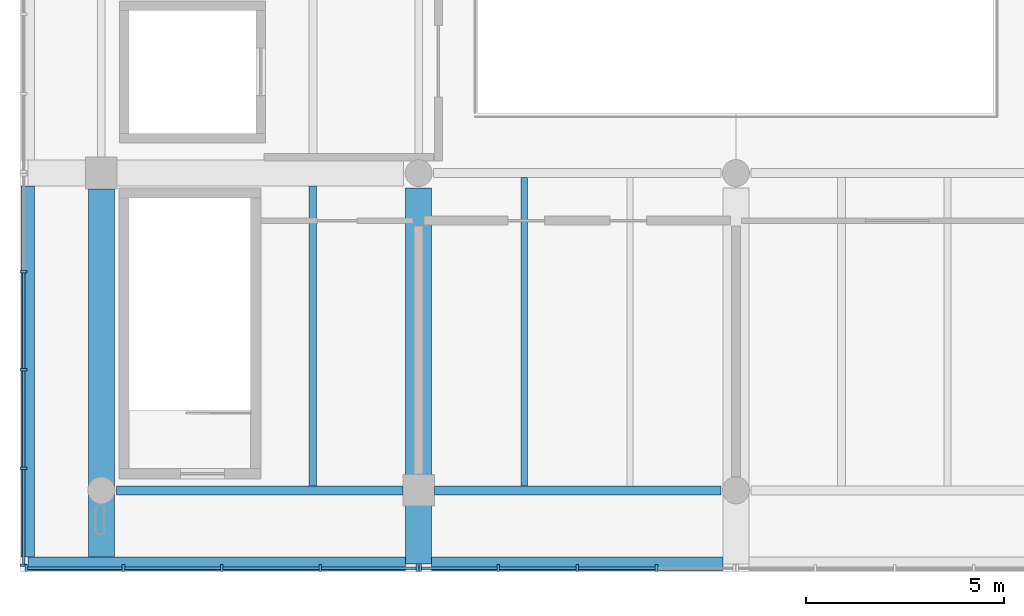
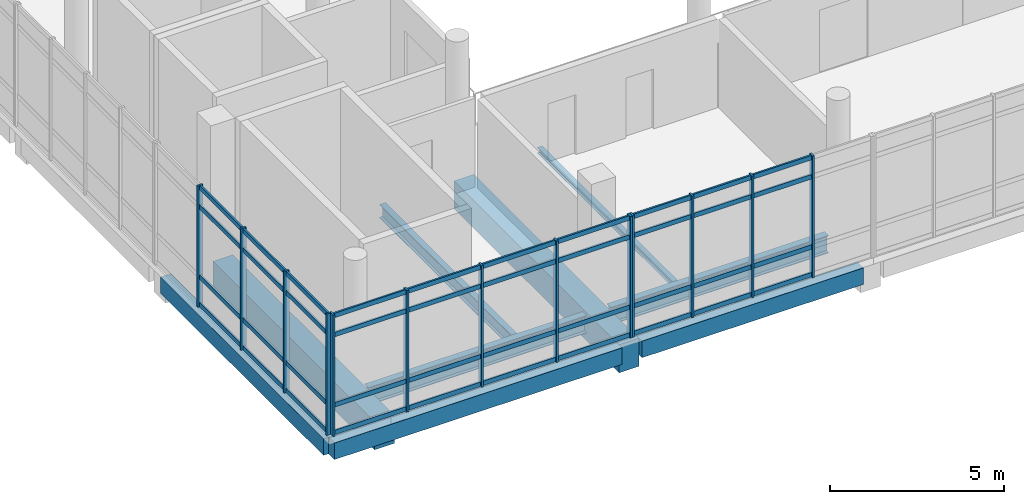
# One storey, part 2 of 15: 53 members, 9 beams, 3 elements without a shape of their own.
"""IFC4 building model written with IfcOpenShell, lengths in metres."""

import ifcopenshell
import ifcopenshell.guid

model = None  # the IFC model being written
_history = None  # IfcOwnerHistory: only IFC2X3 demands one
_inside = {}  # id of a spatial element -> (the spatial element, [elements in it])
_under = {}  # id of a project, library or spatial element -> (it, [spatial elements below it])
_declared = {}  # id of a project -> (the project, [libraries it declares])
_typed = {}  # id of a type object -> (the type object, [elements of that type])
_made_of = {}  # id of a material, layer set ... -> (it, [elements and type objects made of it])


def new_model(schema):
    """Start an empty IFC model of exactly this schema.

    Asked for "IFC4X3", IfcOpenShell would pick the latest addendum, in which some entities
    have other attributes; the version numbers below select the first issue.
    IFC2X3 requires an IfcOwnerHistory on every rooted entity: one is made here for all.
    """
    global model, _history
    if schema == "IFC4X3":
        model = ifcopenshell.file(schema_version=(4, 3, 0, 0))
    else:
        model = ifcopenshell.file(schema=schema)
    _inside.clear()
    _under.clear()
    _declared.clear()
    _typed.clear()
    _made_of.clear()
    _history = None
    if model.schema == "IFC2X3":
        org = make("IfcOrganization", Name="unknown")
        user = make(
            "IfcPersonAndOrganization",
            ThePerson=make("IfcPerson", FamilyName="unknown"),
            TheOrganization=org,
        )
        app = make(
            "IfcApplication",
            ApplicationDeveloper=org,
            Version="unknown",
            ApplicationFullName="unknown",
            ApplicationIdentifier="unknown",
        )
        _history = make(
            "IfcOwnerHistory",
            OwningUser=user,
            OwningApplication=app,
            ChangeAction="ADDED",
            CreationDate=0,
        )
    return model


def make(cls, **values):
    """One entity of the class cls with the attributes given. An attribute that is None is left unset."""
    return model.create_entity(
        cls, **{name: value for name, value in values.items() if value is not None}
    )


def rooted(cls, **values):
    """An entity with a GlobalId (a new one), such as an element, a storey or a relation."""
    return make(cls, GlobalId=ifcopenshell.guid.new(), OwnerHistory=_history, **values)


def si_unit(unit_type, name, prefix=None):
    """IfcSIUnit, for example si_unit("LENGTHUNIT", "METRE", prefix="MILLI")."""
    return make("IfcSIUnit", UnitType=unit_type, Prefix=prefix, Name=name)


def assignment(units):
    """IfcUnitAssignment: the units of a project."""
    return None if units is None else make("IfcUnitAssignment", Units=units)


def point(xyz):
    """IfcCartesianPoint."""
    return None if xyz is None else make("IfcCartesianPoint", Coordinates=xyz)


def direction(xyz):
    """IfcDirection."""
    return None if xyz is None else make("IfcDirection", DirectionRatios=xyz)


def frame(location, z_axis=None, x_axis=None):
    """IfcAxis2Placement3D, a coordinate frame: its origin and axes. An axis left out is left unset."""
    return make(
        "IfcAxis2Placement3D",
        Location=point(location),
        Axis=direction(z_axis),
        RefDirection=direction(x_axis),
    )


def frame_2d(location, x_axis=None):
    """IfcAxis2Placement2D, a coordinate frame in the plane: its origin and x axis."""
    return make(
        "IfcAxis2Placement2D", Location=point(location), RefDirection=direction(x_axis)
    )


def origin():
    """The frame at (0, 0, 0) with its axes left unset."""
    return frame((0.0, 0.0, 0.0))


def origin_2d():
    """The frame at (0, 0) in the plane with its x axis left unset."""
    return frame_2d((0.0, 0.0))


def place(relative_to, where):
    """IfcLocalPlacement: puts the frame where relative to a parent placement (None: the world)."""
    return make(
        "IfcLocalPlacement", PlacementRelTo=relative_to, RelativePlacement=where
    )


def context(
    kind, dimensions, precision=None, world=None, true_north=None, identifier=None
):
    """IfcGeometricRepresentationContext, for example the 3D "Model" context."""
    return make(
        "IfcGeometricRepresentationContext",
        ContextIdentifier=identifier,
        ContextType=kind,
        CoordinateSpaceDimension=dimensions,
        Precision=precision,
        WorldCoordinateSystem=world,
        TrueNorth=true_north,
    )


def subcontext(parent, identifier, kind, view, scale=None):
    """IfcGeometricRepresentationSubContext, for example "Body" below "Model"."""
    return make(
        "IfcGeometricRepresentationSubContext",
        ContextIdentifier=identifier,
        ContextType=kind,
        ParentContext=parent,
        TargetScale=scale,
        TargetView=view,
    )


def project(units=None, contexts=None):
    """IfcProject with its units and contexts."""
    return rooted(
        "IfcProject",
        Name="project",
        RepresentationContexts=contexts,
        UnitsInContext=assignment(units),
    )


def spatial(cls, under=None, at=None, **own):
    """A site, building, storey or space (cls), placed at a placement, below another one or the project."""
    s = rooted(cls, ObjectPlacement=at, **own)
    if under is not None:
        _under.setdefault(under.id(), (under, []))[1].append(s)
    return s


def profile(cls, at=None, kind="AREA", **sizes):
    """A parametric profile (cls). Its sizes go by their IFC names, for example OverallWidth=200.0."""
    return make(cls, ProfileType=kind, Position=at, **sizes)


def rectangle(**sizes):
    """IfcRectangleProfileDef."""
    return profile("IfcRectangleProfileDef", **sizes)


def i_section(**sizes):
    """IfcIShapeProfileDef."""
    return profile("IfcIShapeProfileDef", **sizes)


def extrude(swept, where, along, depth):
    """IfcExtrudedAreaSolid: the profile swept, set in the frame where, extruded along a direction by depth."""
    return make(
        "IfcExtrudedAreaSolid",
        SweptArea=swept,
        Position=where,
        ExtrudedDirection=direction(along),
        Depth=depth,
    )


def shape(context_of_items, identifier, shape_type, items):
    """IfcShapeRepresentation: the items that make up one representation, for example the "Body"."""
    return make(
        "IfcShapeRepresentation",
        ContextOfItems=context_of_items,
        RepresentationIdentifier=identifier,
        RepresentationType=shape_type,
        Items=items,
    )


def material(Name=None, Category=None):
    """IfcMaterial."""
    return make("IfcMaterial", Name=Name, Category=Category)


def material_profile(
    of_material, cross_section, Name=None, Category=None, Priority=None
):
    """IfcMaterialProfile: a cross section and its material."""
    return make(
        "IfcMaterialProfile",
        Name=Name,
        Material=of_material,
        Profile=cross_section,
        Priority=Priority,
        Category=Category,
    )


def profile_set(profiles, Name=None, composite=None):
    """IfcMaterialProfileSet."""
    return make(
        "IfcMaterialProfileSet",
        Name=Name,
        MaterialProfiles=profiles,
        CompositeProfile=composite,
    )


def made_of(thing, what):
    """Note that an element or type object is made of a material, layer set ...; save() writes the relation."""
    if what is not None:
        _made_of.setdefault(what.id(), (what, []))[1].append(thing)
    return thing


def type_object(cls, material=None, **own):
    """A type object (cls), such as IfcWallType, which elements share."""
    return made_of(rooted(cls, **own), material)


def element(
    cls,
    number,
    at=None,
    inside=None,
    cuts=None,
    type_object=None,
    material=None,
    context=None,
    identifier="Body",
    shape_type=None,
    held_by="IfcProductDefinitionShape",
    body=None,
    shapes=None,
    **own,
):
    """One element of the class cls, such as IfcWall. Its Tag is "e" and its number.

    at: its placement. inside: the storey or other place that contains it. cuts: it is an
    opening in that element (IfcRelVoidsElement). A single representation is given by context,
    identifier, shape_type and body (its items); several are given by shapes. held_by: the class
    of the entity that holds the representations. save() writes the other relations.
    """
    e = rooted(cls, Tag="e%d" % number, ObjectPlacement=at, **own)
    if body is not None:
        shapes = [shape(context, identifier, shape_type, body)]
    if shapes is not None:
        e.Representation = make(held_by, Representations=shapes)
    if inside is not None:
        _inside.setdefault(inside.id(), (inside, []))[1].append(e)
    if cuts is not None:
        rooted(
            "IfcRelVoidsElement", RelatingBuildingElement=cuts, RelatedOpeningElement=e
        )
    if type_object is not None:
        _typed.setdefault(type_object.id(), (type_object, []))[1].append(e)
    return made_of(e, material)


def aggregate(whole, parts):
    """IfcRelAggregates: a whole, such as a stair, and the parts it consists of."""
    return rooted("IfcRelAggregates", RelatingObject=whole, RelatedObjects=parts)


def save(model, path):
    """Write the relations noted so far, then the file.

    IfcRelAggregates (storeys below a building ...), IfcRelContainedInSpatialStructure (elements
    in a storey), IfcRelDefinesByType, IfcRelAssociatesMaterial and IfcRelDeclares: one each for
    every whole, place, type object, material and project.
    """
    for whole, parts in _under.values():
        aggregate(whole, parts)
    for where, things in _inside.values():
        rooted(
            "IfcRelContainedInSpatialStructure",
            RelatedElements=things,
            RelatingStructure=where,
        )
    for kind, things in _typed.values():
        rooted("IfcRelDefinesByType", RelatedObjects=things, RelatingType=kind)
    for what, things in _made_of.values():
        rooted("IfcRelAssociatesMaterial", RelatedObjects=things, RelatingMaterial=what)
    for by, libraries in _declared.values():
        rooted("IfcRelDeclares", RelatingContext=by, RelatedDefinitions=libraries)
    model.write(path)


model = new_model("IFC4")

# Units and contexts
model_context = context("Model", 3, precision=1e-05, world=origin(), true_north=direction((0.0, 1.0)))
body_context = subcontext(model_context, "Body", "Model", "MODEL_VIEW")
ifc_project = project(units=[si_unit("LENGTHUNIT", "METRE"), si_unit("AREAUNIT", "SQUARE_METRE"), si_unit("VOLUMEUNIT", "CUBIC_METRE"), si_unit("PLANEANGLEUNIT", "RADIAN"), si_unit("MASSUNIT", "GRAM", prefix="KILO")], contexts=[model_context])

# Site, building, storey
site_placement = place(None, origin())
site = spatial("IfcSite", under=ifc_project, at=site_placement, CompositionType="ELEMENT")
building_placement = place(site_placement, origin())
building = spatial("IfcBuilding", under=site, at=building_placement, Name="Pecanmere Concourse Central Library", CompositionType="ELEMENT")
storey_placement = place(building_placement, frame((0.0, 0.0, 30.300048828125)))
storey = spatial("IfcBuildingStorey", under=building, at=storey_placement, Name="L07", CompositionType="ELEMENT", Elevation=30.300048828125)

# Curtain wall, members
ifc_material_1 = material(Name="Anodized bronze aluminium alloy 6063-T6", Category="aluminium")
curtain_wall_type = type_object("IfcCurtainWallType", Name="CW_PLUMB_BANDED", PredefinedType="USERDEFINED", material=ifc_material_1)
curtain_wall_1_placement = place(storey_placement, origin())
curtain_wall_1 = element("IfcCurtainWall", 1, at=curtain_wall_1_placement, inside=storey, type_object=curtain_wall_type, Name="Unitised Curtain Wall CW-02 L07-089", ObjectType="UNITISED CURTAIN WALL", PredefinedType="USERDEFINED")
ifc_material_2 = material(Name="Anodized bronze aluminium alloy 6063-T6", Category="aluminium")
ifc_material_profile_1 = material_profile(ifc_material_2, rectangle(XDim=0.06494140625, YDim=0.179931640625, at=origin_2d()), Name="AL 65x180")
ifc_profile_set_1 = profile_set([ifc_material_profile_1], Name="Anodized bronze aluminium alloy 6063-T6")
member_type_1 = type_object("IfcMemberType", Name="CWM_180x65", PredefinedType="MULLION", material=ifc_profile_set_1)
member_1_placement = place(storey_placement, frame((70.111083984375, 88.03857421875, 0.0), z_axis=(0.0, 0.0, 1.0), x_axis=(1.0, 0.0, 0.0)))
member_1 = element("IfcMember", 2, at=member_1_placement, type_object=member_type_1, Name="CW-02 Mullion 1", PredefinedType="MULLION", context=body_context, shape_type="SweptSolid", body=[
    extrude(rectangle(XDim=0.06494140625, YDim=0.179931640625, at=origin_2d()), origin(), (0.0, 0.0, 1.0), 4.260009765625),
])
member_2_placement = place(storey_placement, frame((72.5576171875, 88.03857421875, 0.0), z_axis=(0.0, 0.0, 1.0), x_axis=(1.0, 0.0, 0.0)))
member_2 = element("IfcMember", 3, at=member_2_placement, type_object=member_type_1, Name="CW-02 Mullion 2", PredefinedType="MULLION", context=body_context, shape_type="SweptSolid", body=[
    extrude(rectangle(XDim=0.06494140625, YDim=0.179931640625, at=origin_2d()), origin(), (0.0, 0.0, 1.0), 4.260009765625),
])
member_3_placement = place(storey_placement, frame((75.036865234375, 88.03857421875, 0.0), z_axis=(0.0, 0.0, 1.0), x_axis=(1.0, 0.0, 0.0)))
member_3 = element("IfcMember", 4, at=member_3_placement, type_object=member_type_1, Name="CW-02 Mullion 3", PredefinedType="MULLION", context=body_context, shape_type="SweptSolid", body=[
    extrude(rectangle(XDim=0.06494140625, YDim=0.179931640625, at=origin_2d()), origin(), (0.0, 0.0, 1.0), 4.260009765625),
])
member_4_placement = place(storey_placement, frame((77.515869140625, 88.03857421875, 0.0), z_axis=(0.0, 0.0, 1.0), x_axis=(1.0, 0.0, 0.0)))
member_4 = element("IfcMember", 5, at=member_4_placement, type_object=member_type_1, Name="CW-02 Mullion 4", PredefinedType="MULLION", context=body_context, shape_type="SweptSolid", body=[
    extrude(rectangle(XDim=0.06494140625, YDim=0.179931640625, at=origin_2d()), origin(), (0.0, 0.0, 1.0), 4.260009765625),
])
member_5_placement = place(storey_placement, frame((79.96240234375, 88.03857421875, 0.0), z_axis=(0.0, 0.0, 1.0), x_axis=(1.0, 0.0, 0.0)))
member_5 = element("IfcMember", 6, at=member_5_placement, type_object=member_type_1, Name="CW-02 Mullion 5", PredefinedType="MULLION", context=body_context, shape_type="SweptSolid", body=[
    extrude(rectangle(XDim=0.06494140625, YDim=0.179931640625, at=origin_2d()), origin(), (0.0, 0.0, 1.0), 4.260009765625),
])

curtain_wall_2_placement = place(storey_placement, origin())
curtain_wall_2 = element("IfcCurtainWall", 7, at=curtain_wall_2_placement, inside=storey, type_object=curtain_wall_type, Name="Unitised Curtain Wall CW-02 L07-090", ObjectType="UNITISED CURTAIN WALL", PredefinedType="USERDEFINED")
member_6_placement = place(storey_placement, frame((80.03759765625, 88.03857421875, 0.0), z_axis=(0.0, 0.0, 1.0), x_axis=(1.0, 0.0, 0.0)))
member_6 = element("IfcMember", 8, at=member_6_placement, type_object=member_type_1, Name="CW-02 Mullion 1", PredefinedType="MULLION", context=body_context, shape_type="SweptSolid", body=[
    extrude(rectangle(XDim=0.06494140625, YDim=0.179931640625, at=origin_2d()), origin(), (0.0, 0.0, 1.0), 4.260009765625),
])
member_7_placement = place(storey_placement, frame((82.00244140625, 88.03857421875, 0.0), z_axis=(0.0, 0.0, 1.0), x_axis=(1.0, 0.0, 0.0)))
member_7 = element("IfcMember", 9, at=member_7_placement, type_object=member_type_1, Name="CW-02 Mullion 2", PredefinedType="MULLION", context=body_context, shape_type="SweptSolid", body=[
    extrude(rectangle(XDim=0.06494140625, YDim=0.179931640625, at=origin_2d()), origin(), (0.0, 0.0, 1.0), 4.260009765625),
])
member_8_placement = place(storey_placement, frame((84.0, 88.03857421875, 0.0), z_axis=(0.0, 0.0, 1.0), x_axis=(1.0, 0.0, 0.0)))
member_8 = element("IfcMember", 10, at=member_8_placement, type_object=member_type_1, Name="CW-02 Mullion 3", PredefinedType="MULLION", context=body_context, shape_type="SweptSolid", body=[
    extrude(rectangle(XDim=0.06494140625, YDim=0.179931640625, at=origin_2d()), origin(), (0.0, 0.0, 1.0), 4.260009765625),
])
member_9_placement = place(storey_placement, frame((85.99755859375, 88.03857421875, 0.0), z_axis=(0.0, 0.0, 1.0), x_axis=(1.0, 0.0, 0.0)))
member_9 = element("IfcMember", 11, at=member_9_placement, type_object=member_type_1, Name="CW-02 Mullion 4", PredefinedType="MULLION", context=body_context, shape_type="SweptSolid", body=[
    extrude(rectangle(XDim=0.06494140625, YDim=0.179931640625, at=origin_2d()), origin(), (0.0, 0.0, 1.0), 4.260009765625),
])

curtain_wall_3_placement = place(storey_placement, origin())
curtain_wall_3 = element("IfcCurtainWall", 12, at=curtain_wall_3_placement, inside=storey, type_object=curtain_wall_type, Name="Unitised Curtain Wall CW-02 L07-100", ObjectType="UNITISED CURTAIN WALL", PredefinedType="USERDEFINED")
member_10_placement = place(storey_placement, frame((70.03857421875, 95.515869140625, 0.0), z_axis=(0.0, 0.0, 1.0), x_axis=(0.0, -1.0, 0.0)))
member_10 = element("IfcMember", 13, at=member_10_placement, type_object=member_type_1, Name="CW-02 Mullion 2", PredefinedType="MULLION", context=body_context, shape_type="SweptSolid", body=[
    extrude(rectangle(XDim=0.06494140625, YDim=0.179931640625, at=origin_2d()), origin(), (0.0, 0.0, 1.0), 4.260009765625),
])
member_11_placement = place(storey_placement, frame((70.03857421875, 93.036865234375, 0.0), z_axis=(0.0, 0.0, 1.0), x_axis=(0.0, -1.0, 0.0)))
member_11 = element("IfcMember", 14, at=member_11_placement, type_object=member_type_1, Name="CW-02 Mullion 3", PredefinedType="MULLION", context=body_context, shape_type="SweptSolid", body=[
    extrude(rectangle(XDim=0.06494140625, YDim=0.179931640625, at=origin_2d()), origin(), (0.0, 0.0, 1.0), 4.260009765625),
])
member_12_placement = place(storey_placement, frame((70.03857421875, 90.5576171875, 0.0), z_axis=(0.0, 0.0, 1.0), x_axis=(0.0, -1.0, 0.0)))
member_12 = element("IfcMember", 15, at=member_12_placement, type_object=member_type_1, Name="CW-02 Mullion 4", PredefinedType="MULLION", context=body_context, shape_type="SweptSolid", body=[
    extrude(rectangle(XDim=0.06494140625, YDim=0.179931640625, at=origin_2d()), origin(), (0.0, 0.0, 1.0), 4.260009765625),
])
member_13_placement = place(storey_placement, frame((70.03857421875, 88.111083984375, 0.0), z_axis=(0.0, 0.0, 1.0), x_axis=(0.0, -1.0, 0.0)))
member_13 = element("IfcMember", 16, at=member_13_placement, type_object=member_type_1, Name="CW-02 Mullion 5", PredefinedType="MULLION", context=body_context, shape_type="SweptSolid", body=[
    extrude(rectangle(XDim=0.06494140625, YDim=0.179931640625, at=origin_2d()), origin(), (0.0, 0.0, 1.0), 4.260009765625),
])

# Member
ifc_material_3 = material(Name="Anodized bronze aluminium alloy 6063-T6", Category="aluminium")
ifc_material_profile_2 = material_profile(ifc_material_3, rectangle(XDim=0.06005859375, YDim=0.159912109375, at=origin_2d()), Name="AL 60x160")
ifc_profile_set_2 = profile_set([ifc_material_profile_2], Name="Anodized bronze aluminium alloy 6063-T6")
member_type_2 = type_object("IfcMemberType", Name="CWT_160x60", PredefinedType="USERDEFINED", material=ifc_profile_set_2)
member_14_placement = place(storey_placement, frame((70.1435546875, 88.03857421875, 0.079833984375), z_axis=(1.0, 0.0, 0.0), x_axis=(0.0, 1.0, 0.0)))
member_14 = element("IfcMember", 17, at=member_14_placement, type_object=member_type_2, Name="CW-02 Transom 1.1", ObjectType="TRANSOM", PredefinedType="USERDEFINED", context=body_context, shape_type="SweptSolid", body=[
    extrude(rectangle(XDim=0.06005859375, YDim=0.159912109375, at=origin_2d()), origin(), (0.0, 0.0, 1.0), 2.381591796875),
])

member_15_placement = place(storey_placement, frame((70.1435546875, 88.03857421875, 1.050048828125), z_axis=(1.0, 0.0, 0.0), x_axis=(0.0, 1.0, 0.0)))
member_15 = element("IfcMember", 18, at=member_15_placement, type_object=member_type_2, Name="CW-02 Transom 1.2", ObjectType="TRANSOM", PredefinedType="USERDEFINED", context=body_context, shape_type="SweptSolid", body=[
    extrude(rectangle(XDim=0.06005859375, YDim=0.159912109375, at=origin_2d()), origin(), (0.0, 0.0, 1.0), 2.381591796875),
])

member_16_placement = place(storey_placement, frame((70.1435546875, 88.03857421875, 3.510009765625), z_axis=(1.0, 0.0, 0.0), x_axis=(0.0, 1.0, 0.0)))
member_16 = element("IfcMember", 19, at=member_16_placement, type_object=member_type_2, Name="CW-02 Transom 1.3", ObjectType="TRANSOM", PredefinedType="USERDEFINED", context=body_context, shape_type="SweptSolid", body=[
    extrude(rectangle(XDim=0.06005859375, YDim=0.159912109375, at=origin_2d()), origin(), (0.0, 0.0, 1.0), 2.381591796875),
])

member_17_placement = place(storey_placement, frame((70.1435546875, 88.03857421875, 4.179931640625), z_axis=(1.0, 0.0, 0.0), x_axis=(0.0, 1.0, 0.0)))
member_17 = element("IfcMember", 20, at=member_17_placement, type_object=member_type_2, Name="CW-02 Transom 1.4", ObjectType="TRANSOM", PredefinedType="USERDEFINED", context=body_context, shape_type="SweptSolid", body=[
    extrude(rectangle(XDim=0.06005859375, YDim=0.159912109375, at=origin_2d()), origin(), (0.0, 0.0, 1.0), 2.381591796875),
])

member_18_placement = place(storey_placement, frame((72.590087890625, 88.03857421875, 0.079833984375), z_axis=(1.0, 0.0, 0.0), x_axis=(0.0, 1.0, 0.0)))
member_18 = element("IfcMember", 21, at=member_18_placement, type_object=member_type_2, Name="CW-02 Transom 2.1", ObjectType="TRANSOM", PredefinedType="USERDEFINED", context=body_context, shape_type="SweptSolid", body=[
    extrude(rectangle(XDim=0.06005859375, YDim=0.159912109375, at=origin_2d()), origin(), (0.0, 0.0, 1.0), 2.4140625),
])

member_19_placement = place(storey_placement, frame((72.590087890625, 88.03857421875, 1.050048828125), z_axis=(1.0, 0.0, 0.0), x_axis=(0.0, 1.0, 0.0)))
member_19 = element("IfcMember", 22, at=member_19_placement, type_object=member_type_2, Name="CW-02 Transom 2.2", ObjectType="TRANSOM", PredefinedType="USERDEFINED", context=body_context, shape_type="SweptSolid", body=[
    extrude(rectangle(XDim=0.06005859375, YDim=0.159912109375, at=origin_2d()), origin(), (0.0, 0.0, 1.0), 2.4140625),
])

member_20_placement = place(storey_placement, frame((72.590087890625, 88.03857421875, 3.510009765625), z_axis=(1.0, 0.0, 0.0), x_axis=(0.0, 1.0, 0.0)))
member_20 = element("IfcMember", 23, at=member_20_placement, type_object=member_type_2, Name="CW-02 Transom 2.3", ObjectType="TRANSOM", PredefinedType="USERDEFINED", context=body_context, shape_type="SweptSolid", body=[
    extrude(rectangle(XDim=0.06005859375, YDim=0.159912109375, at=origin_2d()), origin(), (0.0, 0.0, 1.0), 2.4140625),
])

member_21_placement = place(storey_placement, frame((72.590087890625, 88.03857421875, 4.179931640625), z_axis=(1.0, 0.0, 0.0), x_axis=(0.0, 1.0, 0.0)))
member_21 = element("IfcMember", 24, at=member_21_placement, type_object=member_type_2, Name="CW-02 Transom 2.4", ObjectType="TRANSOM", PredefinedType="USERDEFINED", context=body_context, shape_type="SweptSolid", body=[
    extrude(rectangle(XDim=0.06005859375, YDim=0.159912109375, at=origin_2d()), origin(), (0.0, 0.0, 1.0), 2.4140625),
])

member_22_placement = place(storey_placement, frame((75.0693359375, 88.03857421875, 0.079833984375), z_axis=(1.0, 0.0, 0.0), x_axis=(0.0, 1.0, 0.0)))
member_22 = element("IfcMember", 25, at=member_22_placement, type_object=member_type_2, Name="CW-02 Transom 3.1", ObjectType="TRANSOM", PredefinedType="USERDEFINED", context=body_context, shape_type="SweptSolid", body=[
    extrude(rectangle(XDim=0.06005859375, YDim=0.159912109375, at=origin_2d()), origin(), (0.0, 0.0, 1.0), 2.4140625),
])

member_23_placement = place(storey_placement, frame((75.0693359375, 88.03857421875, 1.050048828125), z_axis=(1.0, 0.0, 0.0), x_axis=(0.0, 1.0, 0.0)))
member_23 = element("IfcMember", 26, at=member_23_placement, type_object=member_type_2, Name="CW-02 Transom 3.2", ObjectType="TRANSOM", PredefinedType="USERDEFINED", context=body_context, shape_type="SweptSolid", body=[
    extrude(rectangle(XDim=0.06005859375, YDim=0.159912109375, at=origin_2d()), origin(), (0.0, 0.0, 1.0), 2.4140625),
])

member_24_placement = place(storey_placement, frame((75.0693359375, 88.03857421875, 3.510009765625), z_axis=(1.0, 0.0, 0.0), x_axis=(0.0, 1.0, 0.0)))
member_24 = element("IfcMember", 27, at=member_24_placement, type_object=member_type_2, Name="CW-02 Transom 3.3", ObjectType="TRANSOM", PredefinedType="USERDEFINED", context=body_context, shape_type="SweptSolid", body=[
    extrude(rectangle(XDim=0.06005859375, YDim=0.159912109375, at=origin_2d()), origin(), (0.0, 0.0, 1.0), 2.4140625),
])

member_25_placement = place(storey_placement, frame((75.0693359375, 88.03857421875, 4.179931640625), z_axis=(1.0, 0.0, 0.0), x_axis=(0.0, 1.0, 0.0)))
member_25 = element("IfcMember", 28, at=member_25_placement, type_object=member_type_2, Name="CW-02 Transom 3.4", ObjectType="TRANSOM", PredefinedType="USERDEFINED", context=body_context, shape_type="SweptSolid", body=[
    extrude(rectangle(XDim=0.06005859375, YDim=0.159912109375, at=origin_2d()), origin(), (0.0, 0.0, 1.0), 2.4140625),
])

member_26_placement = place(storey_placement, frame((77.54833984375, 88.03857421875, 0.079833984375), z_axis=(1.0, 0.0, 0.0), x_axis=(0.0, 1.0, 0.0)))
member_26 = element("IfcMember", 29, at=member_26_placement, type_object=member_type_2, Name="CW-02 Transom 4.1", ObjectType="TRANSOM", PredefinedType="USERDEFINED", context=body_context, shape_type="SweptSolid", body=[
    extrude(rectangle(XDim=0.06005859375, YDim=0.159912109375, at=origin_2d()), origin(), (0.0, 0.0, 1.0), 2.381591796875),
])

member_27_placement = place(storey_placement, frame((77.54833984375, 88.03857421875, 1.050048828125), z_axis=(1.0, 0.0, 0.0), x_axis=(0.0, 1.0, 0.0)))
member_27 = element("IfcMember", 30, at=member_27_placement, type_object=member_type_2, Name="CW-02 Transom 4.2", ObjectType="TRANSOM", PredefinedType="USERDEFINED", context=body_context, shape_type="SweptSolid", body=[
    extrude(rectangle(XDim=0.06005859375, YDim=0.159912109375, at=origin_2d()), origin(), (0.0, 0.0, 1.0), 2.381591796875),
])

member_28_placement = place(storey_placement, frame((77.54833984375, 88.03857421875, 3.510009765625), z_axis=(1.0, 0.0, 0.0), x_axis=(0.0, 1.0, 0.0)))
member_28 = element("IfcMember", 31, at=member_28_placement, type_object=member_type_2, Name="CW-02 Transom 4.3", ObjectType="TRANSOM", PredefinedType="USERDEFINED", context=body_context, shape_type="SweptSolid", body=[
    extrude(rectangle(XDim=0.06005859375, YDim=0.159912109375, at=origin_2d()), origin(), (0.0, 0.0, 1.0), 2.381591796875),
])

member_29_placement = place(storey_placement, frame((77.54833984375, 88.03857421875, 4.179931640625), z_axis=(1.0, 0.0, 0.0), x_axis=(0.0, 1.0, 0.0)))
member_29 = element("IfcMember", 32, at=member_29_placement, type_object=member_type_2, Name="CW-02 Transom 4.4", ObjectType="TRANSOM", PredefinedType="USERDEFINED", context=body_context, shape_type="SweptSolid", body=[
    extrude(rectangle(XDim=0.06005859375, YDim=0.159912109375, at=origin_2d()), origin(), (0.0, 0.0, 1.0), 2.381591796875),
])

aggregate(curtain_wall_1, [member_1, member_2, member_3, member_4, member_5, member_14, member_15, member_16, member_17, member_18, member_19, member_20, member_21, member_22, member_23, member_24, member_25, member_26, member_27, member_28, member_29])

member_30_placement = place(storey_placement, frame((80.070068359375, 88.03857421875, 0.079833984375), z_axis=(1.0, 0.0, 0.0), x_axis=(0.0, 1.0, 0.0)))
member_30 = element("IfcMember", 33, at=member_30_placement, type_object=member_type_2, Name="CW-02 Transom 1.1", ObjectType="TRANSOM", PredefinedType="USERDEFINED", context=body_context, shape_type="SweptSolid", body=[
    extrude(rectangle(XDim=0.06005859375, YDim=0.159912109375, at=origin_2d()), origin(), (0.0, 0.0, 1.0), 1.89990234375),
])

member_31_placement = place(storey_placement, frame((80.070068359375, 88.03857421875, 1.050048828125), z_axis=(1.0, 0.0, 0.0), x_axis=(0.0, 1.0, 0.0)))
member_31 = element("IfcMember", 34, at=member_31_placement, type_object=member_type_2, Name="CW-02 Transom 1.2", ObjectType="TRANSOM", PredefinedType="USERDEFINED", context=body_context, shape_type="SweptSolid", body=[
    extrude(rectangle(XDim=0.06005859375, YDim=0.159912109375, at=origin_2d()), origin(), (0.0, 0.0, 1.0), 1.89990234375),
])

member_32_placement = place(storey_placement, frame((80.070068359375, 88.03857421875, 3.510009765625), z_axis=(1.0, 0.0, 0.0), x_axis=(0.0, 1.0, 0.0)))
member_32 = element("IfcMember", 35, at=member_32_placement, type_object=member_type_2, Name="CW-02 Transom 1.3", ObjectType="TRANSOM", PredefinedType="USERDEFINED", context=body_context, shape_type="SweptSolid", body=[
    extrude(rectangle(XDim=0.06005859375, YDim=0.159912109375, at=origin_2d()), origin(), (0.0, 0.0, 1.0), 1.89990234375),
])

member_33_placement = place(storey_placement, frame((80.070068359375, 88.03857421875, 4.179931640625), z_axis=(1.0, 0.0, 0.0), x_axis=(0.0, 1.0, 0.0)))
member_33 = element("IfcMember", 36, at=member_33_placement, type_object=member_type_2, Name="CW-02 Transom 1.4", ObjectType="TRANSOM", PredefinedType="USERDEFINED", context=body_context, shape_type="SweptSolid", body=[
    extrude(rectangle(XDim=0.06005859375, YDim=0.159912109375, at=origin_2d()), origin(), (0.0, 0.0, 1.0), 1.89990234375),
])

member_34_placement = place(storey_placement, frame((82.034912109375, 88.03857421875, 0.079833984375), z_axis=(1.0, 0.0, 0.0), x_axis=(0.0, 1.0, 0.0)))
member_34 = element("IfcMember", 37, at=member_34_placement, type_object=member_type_2, Name="CW-02 Transom 2.1", ObjectType="TRANSOM", PredefinedType="USERDEFINED", context=body_context, shape_type="SweptSolid", body=[
    extrude(rectangle(XDim=0.06005859375, YDim=0.159912109375, at=origin_2d()), origin(), (0.0, 0.0, 1.0), 1.9326171875),
])

member_35_placement = place(storey_placement, frame((82.034912109375, 88.03857421875, 1.050048828125), z_axis=(1.0, 0.0, 0.0), x_axis=(0.0, 1.0, 0.0)))
member_35 = element("IfcMember", 38, at=member_35_placement, type_object=member_type_2, Name="CW-02 Transom 2.2", ObjectType="TRANSOM", PredefinedType="USERDEFINED", context=body_context, shape_type="SweptSolid", body=[
    extrude(rectangle(XDim=0.06005859375, YDim=0.159912109375, at=origin_2d()), origin(), (0.0, 0.0, 1.0), 1.9326171875),
])

member_36_placement = place(storey_placement, frame((82.034912109375, 88.03857421875, 3.510009765625), z_axis=(1.0, 0.0, 0.0), x_axis=(0.0, 1.0, 0.0)))
member_36 = element("IfcMember", 39, at=member_36_placement, type_object=member_type_2, Name="CW-02 Transom 2.3", ObjectType="TRANSOM", PredefinedType="USERDEFINED", context=body_context, shape_type="SweptSolid", body=[
    extrude(rectangle(XDim=0.06005859375, YDim=0.159912109375, at=origin_2d()), origin(), (0.0, 0.0, 1.0), 1.9326171875),
])

member_37_placement = place(storey_placement, frame((82.034912109375, 88.03857421875, 4.179931640625), z_axis=(1.0, 0.0, 0.0), x_axis=(0.0, 1.0, 0.0)))
member_37 = element("IfcMember", 40, at=member_37_placement, type_object=member_type_2, Name="CW-02 Transom 2.4", ObjectType="TRANSOM", PredefinedType="USERDEFINED", context=body_context, shape_type="SweptSolid", body=[
    extrude(rectangle(XDim=0.06005859375, YDim=0.159912109375, at=origin_2d()), origin(), (0.0, 0.0, 1.0), 1.9326171875),
])

member_38_placement = place(storey_placement, frame((84.032470703125, 88.03857421875, 0.079833984375), z_axis=(1.0, 0.0, 0.0), x_axis=(0.0, 1.0, 0.0)))
member_38 = element("IfcMember", 41, at=member_38_placement, type_object=member_type_2, Name="CW-02 Transom 3.1", ObjectType="TRANSOM", PredefinedType="USERDEFINED", context=body_context, shape_type="SweptSolid", body=[
    extrude(rectangle(XDim=0.06005859375, YDim=0.159912109375, at=origin_2d()), origin(), (0.0, 0.0, 1.0), 1.9326171875),
])

member_39_placement = place(storey_placement, frame((84.032470703125, 88.03857421875, 1.050048828125), z_axis=(1.0, 0.0, 0.0), x_axis=(0.0, 1.0, 0.0)))
member_39 = element("IfcMember", 42, at=member_39_placement, type_object=member_type_2, Name="CW-02 Transom 3.2", ObjectType="TRANSOM", PredefinedType="USERDEFINED", context=body_context, shape_type="SweptSolid", body=[
    extrude(rectangle(XDim=0.06005859375, YDim=0.159912109375, at=origin_2d()), origin(), (0.0, 0.0, 1.0), 1.9326171875),
])

member_40_placement = place(storey_placement, frame((84.032470703125, 88.03857421875, 3.510009765625), z_axis=(1.0, 0.0, 0.0), x_axis=(0.0, 1.0, 0.0)))
member_40 = element("IfcMember", 43, at=member_40_placement, type_object=member_type_2, Name="CW-02 Transom 3.3", ObjectType="TRANSOM", PredefinedType="USERDEFINED", context=body_context, shape_type="SweptSolid", body=[
    extrude(rectangle(XDim=0.06005859375, YDim=0.159912109375, at=origin_2d()), origin(), (0.0, 0.0, 1.0), 1.9326171875),
])

member_41_placement = place(storey_placement, frame((84.032470703125, 88.03857421875, 4.179931640625), z_axis=(1.0, 0.0, 0.0), x_axis=(0.0, 1.0, 0.0)))
member_41 = element("IfcMember", 44, at=member_41_placement, type_object=member_type_2, Name="CW-02 Transom 3.4", ObjectType="TRANSOM", PredefinedType="USERDEFINED", context=body_context, shape_type="SweptSolid", body=[
    extrude(rectangle(XDim=0.06005859375, YDim=0.159912109375, at=origin_2d()), origin(), (0.0, 0.0, 1.0), 1.9326171875),
])

aggregate(curtain_wall_2, [member_6, member_7, member_8, member_9, member_30, member_31, member_32, member_33, member_34, member_35, member_36, member_37, member_38, member_39, member_40, member_41])

member_42_placement = place(storey_placement, frame((70.03857421875, 95.4833984375, 0.079833984375), z_axis=(0.0, -1.0, 0.0), x_axis=(1.0, 0.0, 0.0)))
member_42 = element("IfcMember", 45, at=member_42_placement, type_object=member_type_2, Name="CW-02 Transom 2.1", ObjectType="TRANSOM", PredefinedType="USERDEFINED", context=body_context, shape_type="SweptSolid", body=[
    extrude(rectangle(XDim=0.06005859375, YDim=0.159912109375, at=origin_2d()), origin(), (0.0, 0.0, 1.0), 2.4140625),
])

member_43_placement = place(storey_placement, frame((70.03857421875, 95.4833984375, 1.050048828125), z_axis=(0.0, -1.0, 0.0), x_axis=(1.0, 0.0, 0.0)))
member_43 = element("IfcMember", 46, at=member_43_placement, type_object=member_type_2, Name="CW-02 Transom 2.2", ObjectType="TRANSOM", PredefinedType="USERDEFINED", context=body_context, shape_type="SweptSolid", body=[
    extrude(rectangle(XDim=0.06005859375, YDim=0.159912109375, at=origin_2d()), origin(), (0.0, 0.0, 1.0), 2.4140625),
])

member_44_placement = place(storey_placement, frame((70.03857421875, 95.4833984375, 3.510009765625), z_axis=(0.0, -1.0, 0.0), x_axis=(1.0, 0.0, 0.0)))
member_44 = element("IfcMember", 47, at=member_44_placement, type_object=member_type_2, Name="CW-02 Transom 2.3", ObjectType="TRANSOM", PredefinedType="USERDEFINED", context=body_context, shape_type="SweptSolid", body=[
    extrude(rectangle(XDim=0.06005859375, YDim=0.159912109375, at=origin_2d()), origin(), (0.0, 0.0, 1.0), 2.4140625),
])

member_45_placement = place(storey_placement, frame((70.03857421875, 95.4833984375, 4.179931640625), z_axis=(0.0, -1.0, 0.0), x_axis=(1.0, 0.0, 0.0)))
member_45 = element("IfcMember", 48, at=member_45_placement, type_object=member_type_2, Name="CW-02 Transom 2.4", ObjectType="TRANSOM", PredefinedType="USERDEFINED", context=body_context, shape_type="SweptSolid", body=[
    extrude(rectangle(XDim=0.06005859375, YDim=0.159912109375, at=origin_2d()), origin(), (0.0, 0.0, 1.0), 2.4140625),
])

member_46_placement = place(storey_placement, frame((70.03857421875, 93.004150390625, 0.079833984375), z_axis=(0.0, -1.0, 0.0), x_axis=(1.0, 0.0, 0.0)))
member_46 = element("IfcMember", 49, at=member_46_placement, type_object=member_type_2, Name="CW-02 Transom 3.1", ObjectType="TRANSOM", PredefinedType="USERDEFINED", context=body_context, shape_type="SweptSolid", body=[
    extrude(rectangle(XDim=0.06005859375, YDim=0.159912109375, at=origin_2d()), origin(), (0.0, 0.0, 1.0), 2.4140625),
])

member_47_placement = place(storey_placement, frame((70.03857421875, 93.004150390625, 1.050048828125), z_axis=(0.0, -1.0, 0.0), x_axis=(1.0, 0.0, 0.0)))
member_47 = element("IfcMember", 50, at=member_47_placement, type_object=member_type_2, Name="CW-02 Transom 3.2", ObjectType="TRANSOM", PredefinedType="USERDEFINED", context=body_context, shape_type="SweptSolid", body=[
    extrude(rectangle(XDim=0.06005859375, YDim=0.159912109375, at=origin_2d()), origin(), (0.0, 0.0, 1.0), 2.4140625),
])

member_48_placement = place(storey_placement, frame((70.03857421875, 93.004150390625, 3.510009765625), z_axis=(0.0, -1.0, 0.0), x_axis=(1.0, 0.0, 0.0)))
member_48 = element("IfcMember", 51, at=member_48_placement, type_object=member_type_2, Name="CW-02 Transom 3.3", ObjectType="TRANSOM", PredefinedType="USERDEFINED", context=body_context, shape_type="SweptSolid", body=[
    extrude(rectangle(XDim=0.06005859375, YDim=0.159912109375, at=origin_2d()), origin(), (0.0, 0.0, 1.0), 2.4140625),
])

member_49_placement = place(storey_placement, frame((70.03857421875, 93.004150390625, 4.179931640625), z_axis=(0.0, -1.0, 0.0), x_axis=(1.0, 0.0, 0.0)))
member_49 = element("IfcMember", 52, at=member_49_placement, type_object=member_type_2, Name="CW-02 Transom 3.4", ObjectType="TRANSOM", PredefinedType="USERDEFINED", context=body_context, shape_type="SweptSolid", body=[
    extrude(rectangle(XDim=0.06005859375, YDim=0.159912109375, at=origin_2d()), origin(), (0.0, 0.0, 1.0), 2.4140625),
])

member_50_placement = place(storey_placement, frame((70.03857421875, 90.525146484375, 0.079833984375), z_axis=(0.0, -1.0, 0.0), x_axis=(1.0, 0.0, 0.0)))
member_50 = element("IfcMember", 53, at=member_50_placement, type_object=member_type_2, Name="CW-02 Transom 4.1", ObjectType="TRANSOM", PredefinedType="USERDEFINED", context=body_context, shape_type="SweptSolid", body=[
    extrude(rectangle(XDim=0.06005859375, YDim=0.159912109375, at=origin_2d()), origin(), (0.0, 0.0, 1.0), 2.381591796875),
])

member_51_placement = place(storey_placement, frame((70.03857421875, 90.525146484375, 1.050048828125), z_axis=(0.0, -1.0, 0.0), x_axis=(1.0, 0.0, 0.0)))
member_51 = element("IfcMember", 54, at=member_51_placement, type_object=member_type_2, Name="CW-02 Transom 4.2", ObjectType="TRANSOM", PredefinedType="USERDEFINED", context=body_context, shape_type="SweptSolid", body=[
    extrude(rectangle(XDim=0.06005859375, YDim=0.159912109375, at=origin_2d()), origin(), (0.0, 0.0, 1.0), 2.381591796875),
])

member_52_placement = place(storey_placement, frame((70.03857421875, 90.525146484375, 3.510009765625), z_axis=(0.0, -1.0, 0.0), x_axis=(1.0, 0.0, 0.0)))
member_52 = element("IfcMember", 55, at=member_52_placement, type_object=member_type_2, Name="CW-02 Transom 4.3", ObjectType="TRANSOM", PredefinedType="USERDEFINED", context=body_context, shape_type="SweptSolid", body=[
    extrude(rectangle(XDim=0.06005859375, YDim=0.159912109375, at=origin_2d()), origin(), (0.0, 0.0, 1.0), 2.381591796875),
])

member_53_placement = place(storey_placement, frame((70.03857421875, 90.525146484375, 4.179931640625), z_axis=(0.0, -1.0, 0.0), x_axis=(1.0, 0.0, 0.0)))
member_53 = element("IfcMember", 56, at=member_53_placement, type_object=member_type_2, Name="CW-02 Transom 4.4", ObjectType="TRANSOM", PredefinedType="USERDEFINED", context=body_context, shape_type="SweptSolid", body=[
    extrude(rectangle(XDim=0.06005859375, YDim=0.159912109375, at=origin_2d()), origin(), (0.0, 0.0, 1.0), 2.381591796875),
])

aggregate(curtain_wall_3, [member_10, member_11, member_12, member_13, member_42, member_43, member_44, member_45, member_46, member_47, member_48, member_49, member_50, member_51, member_52, member_53])

# Beams
ifc_material_4 = material(Name="Concrete C40/50", Category="concrete")
ifc_material_profile_3 = material_profile(ifc_material_4, rectangle(XDim=0.659912109375, YDim=0.97998046875, at=origin_2d()), Name="RC 660x980")
ifc_profile_set_3 = profile_set([ifc_material_profile_3], Name="Concrete C40/50")
beam_type_1 = type_object("IfcBeamType", Name="GRD_660x980", PredefinedType="USERDEFINED", material=ifc_profile_set_3)
beam_1_placement = place(storey_placement, frame((72.0, 88.318603515625, -0.75), z_axis=(0.0, 1.0, 0.0), x_axis=(-1.0, 0.0, 0.0)))
element("IfcBeam", 57, at=beam_1_placement, inside=storey, type_object=beam_type_1, Name="Primary Girder Y L07-2804", ObjectType="GIRDER", PredefinedType="USERDEFINED", context=body_context, shape_type="SweptSolid", body=[
    extrude(rectangle(XDim=0.659912109375, YDim=0.97998046875, at=origin_2d()), origin(), (0.0, 0.0, 1.0), 9.281494140625),
])
beam_2_placement = place(storey_placement, frame((80.0, 88.1484375, -0.75), z_axis=(0.0, 1.0, 0.0), x_axis=(-1.0, 0.0, 0.0)))
element("IfcBeam", 58, at=beam_2_placement, inside=storey, type_object=beam_type_1, Name="Primary Girder Y L07-2808", ObjectType="GIRDER", PredefinedType="USERDEFINED", context=body_context, shape_type="SweptSolid", body=[
    extrude(rectangle(XDim=0.659912109375, YDim=0.97998046875, at=origin_2d()), origin(), (0.0, 0.0, 1.0), 9.4716796875),
])
ifc_material_5 = material(Name="Structural steel ASTM A992 Grade 50", Category="steel")
ifc_material_profile_4 = material_profile(ifc_material_5, i_section(OverallWidth=0.1650390625, OverallDepth=0.200927734375, WebThickness=0.006103515625, FlangeThickness=0.01025390625, at=origin_2d()), Name="W200x35.9")
ifc_profile_set_4 = profile_set([ifc_material_profile_4], Name="Structural steel ASTM A992 Grade 50")
beam_type_2 = type_object("IfcBeamType", Name="SBM_W200x36", PredefinedType="LINTEL", material=ifc_profile_set_4)
beam_3_placement = place(storey_placement, frame((82.666748046875, 90.114990234375, -0.360595703125), z_axis=(0.0, 1.0, 0.0), x_axis=(-1.0, 0.0, 0.0)))
element("IfcBeam", 59, at=beam_3_placement, inside=storey, type_object=beam_type_2, Name="Secondary Floor Joist L07-2843", PredefinedType="LINTEL", context=body_context, shape_type="SweptSolid", body=[
    extrude(i_section(OverallWidth=0.1650390625, OverallDepth=0.200927734375, WebThickness=0.006103515625, FlangeThickness=0.01025390625, at=origin_2d()), origin(), (0.0, 0.0, 1.0), 7.77001953125),
])
ifc_material_6 = material(Name="Structural steel ASTM A992 Grade 50", Category="steel")
ifc_material_profile_5 = material_profile(ifc_material_6, i_section(OverallWidth=0.194091796875, OverallDepth=0.468994140625, WebThickness=0.0126953125, FlangeThickness=0.0205078125, at=origin_2d()), Name="W460x106")
ifc_profile_set_5 = profile_set([ifc_material_profile_5], Name="Structural steel ASTM A992 Grade 50")
beam_type_3 = type_object("IfcBeamType", Name="SBM_W460x106", PredefinedType="USERDEFINED", material=ifc_profile_set_5)
beam_4_placement = place(storey_placement, frame((77.333251953125, 90.114990234375, -0.49462890625), z_axis=(0.0, 1.0, 0.0), x_axis=(-1.0, 0.0, 0.0)))
element("IfcBeam", 60, at=beam_4_placement, inside=storey, type_object=beam_type_3, Name="Secondary Floor Joist L07-2838", ObjectType="GIRDER", PredefinedType="USERDEFINED", context=body_context, shape_type="SweptSolid", body=[
    extrude(i_section(OverallWidth=0.194091796875, OverallDepth=0.468994140625, WebThickness=0.0126953125, FlangeThickness=0.0205078125, at=origin_2d()), origin(), (0.0, 0.0, 1.0), 7.554931640625),
])
ifc_material_7 = material(Name="Structural steel ASTM A992 Grade 50", Category="steel")
ifc_material_profile_6 = material_profile(ifc_material_7, i_section(OverallWidth=0.22998046875, OverallDepth=0.616943359375, WebThickness=0.01318359375, FlangeThickness=0.022216796875, at=origin_2d()), Name="W610x140")
ifc_profile_set_6 = profile_set([ifc_material_profile_6], Name="Structural steel ASTM A992 Grade 50")
beam_type_4 = type_object("IfcBeamType", Name="SBM_W610x140", PredefinedType="USERDEFINED", material=ifc_profile_set_6)
for number, where, z_axis, x_axis, name in (
    (61, (72.3798828125, 90.0, -0.568603515625), (1.0, 0.0, 0.0), (0.0, 1.0, 0.0), "Primary Girder X L07-2786"),
    (62, (80.39990234375, 90.0, -0.568603515625), (1.0, 0.0, 0.0), (0.0, 1.0, 0.0), "Primary Girder X L07-2787"),
):
    element("IfcBeam", number, at=place(storey_placement, frame(where, z_axis=z_axis, x_axis=x_axis)), inside=storey, type_object=beam_type_4, Name=name, ObjectType="GIRDER", PredefinedType="USERDEFINED", context=body_context, shape_type="SweptSolid", body=[
        extrude(i_section(OverallWidth=0.22998046875, OverallDepth=0.616943359375, WebThickness=0.01318359375, FlangeThickness=0.022216796875, at=origin_2d()), origin(), (0.0, 0.0, 1.0), 7.22021484375),
    ])
ifc_material_8 = material(Name="Concrete C40/50", Category="concrete")
ifc_material_profile_7 = material_profile(ifc_material_8, rectangle(XDim=0.340087890625, YDim=0.580078125, at=origin_2d()), Name="RC 340x580")
ifc_profile_set_7 = profile_set([ifc_material_profile_7], Name="Concrete C40/50")
beam_type_5 = type_object("IfcBeamType", Name="SPB_340x580", PredefinedType="BEAM", material=ifc_profile_set_7)
beam_5_placement = place(storey_placement, frame((70.1484375, 88.1484375, -0.550048828125), z_axis=(1.0, 0.0, 0.0), x_axis=(0.0, 1.0, 0.0)))
element("IfcBeam", 63, at=beam_5_placement, inside=storey, type_object=beam_type_5, Name="Leaning Facade Edge Beam L07-2822", PredefinedType="BEAM", context=body_context, shape_type="SweptSolid", body=[
    extrude(rectangle(XDim=0.340087890625, YDim=0.580078125, at=origin_2d()), origin(), (0.0, 0.0, 1.0), 9.521484375),
])
beam_6_placement = place(storey_placement, frame((80.330078125, 88.1484375, -0.550048828125), z_axis=(1.0, 0.0, 0.0), x_axis=(0.0, 1.0, 0.0)))
element("IfcBeam", 64, at=beam_6_placement, inside=storey, type_object=beam_type_5, Name="Leaning Facade Edge Beam L07-2823", PredefinedType="BEAM", context=body_context, shape_type="SweptSolid", body=[
    extrude(rectangle(XDim=0.340087890625, YDim=0.580078125, at=origin_2d()), origin(), (0.0, 0.0, 1.0), 7.33984375),
])
beam_7_placement = place(storey_placement, frame((70.1484375, 88.318603515625, -0.550048828125), z_axis=(0.0, 1.0, 0.0), x_axis=(-1.0, 0.0, 0.0)))
element("IfcBeam", 65, at=beam_7_placement, inside=storey, type_object=beam_type_5, Name="Leaning Facade Edge Beam L07-2830", PredefinedType="BEAM", context=body_context, shape_type="SweptSolid", body=[
    extrude(rectangle(XDim=0.340087890625, YDim=0.580078125, at=origin_2d()), origin(), (0.0, 0.0, 1.0), 9.351318359375),
])

save(model, "model.ifc")
